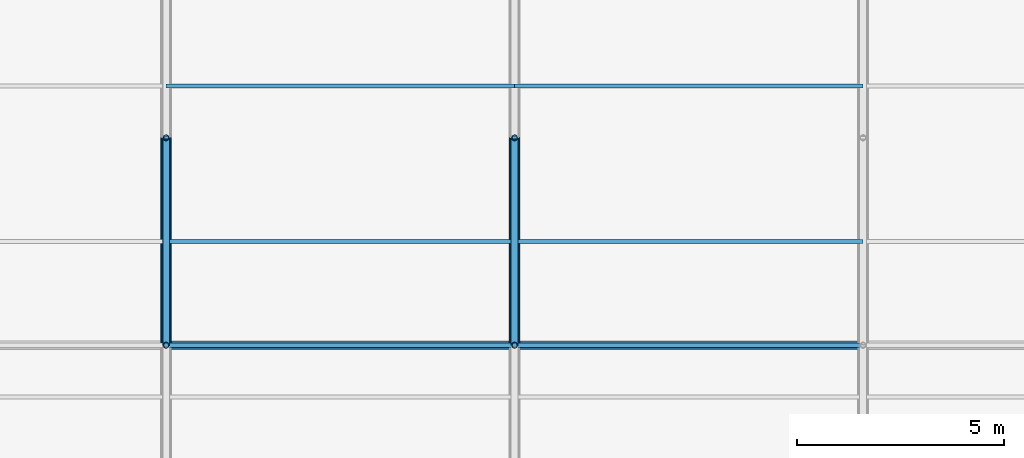
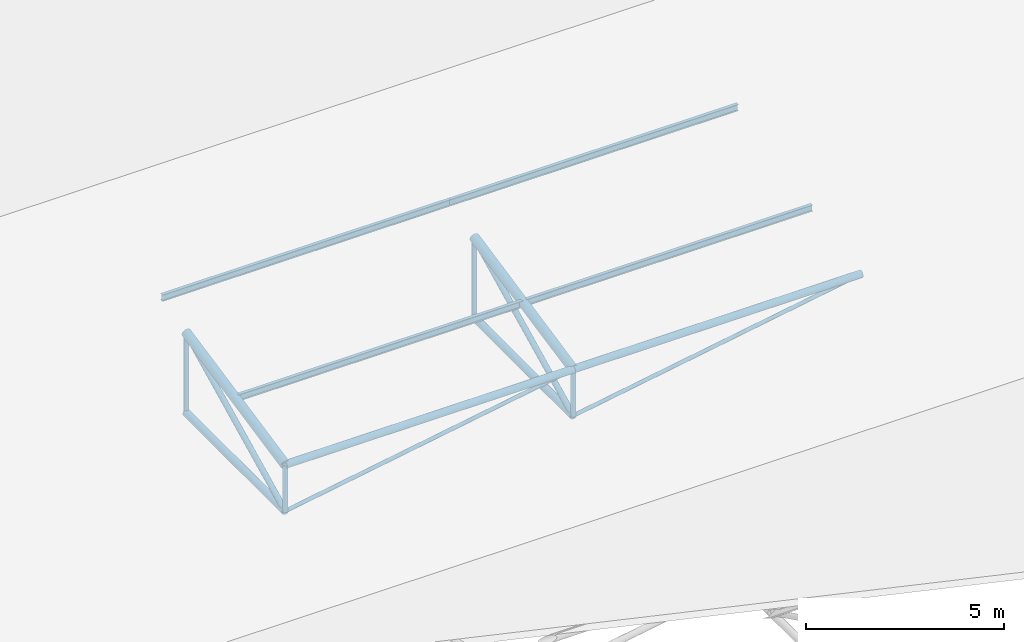
# One storey, part 90 of 194: 14 members, 4 beams.
"""IFC4 building model written with IfcOpenShell, lengths in metres."""

from ifc_helpers import new_model, si_unit, direction, frame, origin, origin_2d, place, context, subcontext, project, spatial, hollow_circle, i_section, extrude, material, material_profile, profile_set, type_object, element, save


model = new_model("IFC4")

# Units and contexts
model_context = context("Model", 3, precision=1e-05, world=origin(), true_north=direction((0.0, 1.0)))
body_context = subcontext(model_context, "Body", "Model", "MODEL_VIEW")
ifc_project = project(units=[si_unit("LENGTHUNIT", "METRE"), si_unit("AREAUNIT", "SQUARE_METRE"), si_unit("VOLUMEUNIT", "CUBIC_METRE"), si_unit("PLANEANGLEUNIT", "RADIAN"), si_unit("MASSUNIT", "GRAM", prefix="KILO")], contexts=[model_context])

# Site, building, storey
site_placement = place(None, origin())
site = spatial("IfcSite", under=ifc_project, at=site_placement, CompositionType="ELEMENT")
building_placement = place(site_placement, origin())
building = spatial("IfcBuilding", under=site, at=building_placement, Name="Kazenagashi Tramway Depot", CompositionType="ELEMENT")
storey_placement = place(building_placement, frame((0.0, 0.0, 23.7)))
storey = spatial("IfcBuildingStorey", under=building, at=storey_placement, Name="ROOF", CompositionType="ELEMENT", Elevation=23.7)

# Beams
ifc_material_1 = material(Name="Steel SN400B", Category="steel")
ifc_material_profile_1 = material_profile(ifc_material_1, i_section(OverallWidth=0.1, OverallDepth=0.2, WebThickness=0.0055, FlangeThickness=0.008, at=origin_2d()), Name="H-200x100x5.5x8")
ifc_profile_set_1 = profile_set([ifc_material_profile_1], Name="Steel SN400B")
beam_type = type_object("IfcBeamType", Name="PR-01", PredefinedType="USERDEFINED", material=ifc_profile_set_1)
for number, where, z_axis, x_axis, name in (
    (1, (128.8, 107.5, -12.13), (1.0, 0.0, 0.0), (0.0, 1.0, 0.0), "Beam PR-01 BM-2154"),
    (2, (137.2, 107.5, -12.13), (1.0, 0.0, 0.0), (0.0, 1.0, 0.0), "Beam PR-01 BM-2155"),
    (3, (128.8, 111.25, -11.305), (1.0, 0.0, 0.0), (0.0, 1.0, 0.0), "Beam PR-01 BM-2172"),
    (4, (137.2, 111.25, -11.305), (1.0, 0.0, 0.0), (0.0, 1.0, 0.0), "Beam PR-01 BM-2173"),
):
    element("IfcBeam", number, at=place(storey_placement, frame(where, z_axis=z_axis, x_axis=x_axis)), inside=storey, type_object=beam_type, Name=name, ObjectType="PURLIN", PredefinedType="USERDEFINED", context=body_context, shape_type="SweptSolid", body=[
        extrude(i_section(OverallWidth=0.1, OverallDepth=0.2, WebThickness=0.0055, FlangeThickness=0.008, at=origin_2d()), origin(), (0.0, 0.0, 1.0), 8.4),
    ])

# Members
ifc_material_2 = material(Name="Steel STK490", Category="steel")
ifc_material_profile_2 = material_profile(ifc_material_2, hollow_circle(Radius=0.1337, WallThickness=0.0093, at=origin_2d()), Name="CHS-267.4x9.3")
ifc_profile_set_2 = profile_set([ifc_material_profile_2], Name="Steel STK490")
member_type_1 = type_object("IfcMemberType", Name="TC-01", PredefinedType="CHORD", material=ifc_profile_set_2)
for number, where, z_axis, x_axis, name in (
    (5, (128.8, 105.0, -12.667), (0.0, 0.979279174591, 0.202514933305), (-1.0, 0.0, 0.0), "Tubular Space Frame TC-01 MEM-0645"),
    (6, (137.2, 105.0, -12.667), (0.0, 0.979279174591, 0.202514933305), (-1.0, 0.0, 0.0), "Tubular Space Frame TC-01 MEM-0706"),
):
    element("IfcMember", number, at=place(storey_placement, frame(where, z_axis=z_axis, x_axis=x_axis)), inside=storey, type_object=member_type_1, Name=name, PredefinedType="CHORD", context=body_context, shape_type="SweptSolid", body=[
        extrude(hollow_circle(Radius=0.1337, WallThickness=0.0093, at=origin_2d()), origin(), (0.0, 0.0, 1.0), 5.105796),
    ])
ifc_material_profile_3 = material_profile(ifc_material_2, hollow_circle(Radius=0.10815, WallThickness=0.0082, at=origin_2d()), Name="CHS-216.3x8.2")
ifc_profile_set_3 = profile_set([ifc_material_profile_3], Name="Steel STK490")
member_type_2 = type_object("IfcMemberType", Name="TC-02", PredefinedType="CHORD", material=ifc_profile_set_3)
member_1_placement = place(storey_placement, frame((128.8, 105.0, -14.1), z_axis=(0.0, 1.0, 0.0), x_axis=(-1.0, 0.0, 0.0)))
element("IfcMember", 7, at=member_1_placement, inside=storey, type_object=member_type_2, Name="Tubular Space Frame TC-02 MEM-0646", PredefinedType="CHORD", context=body_context, shape_type="SweptSolid", body=[
    extrude(hollow_circle(Radius=0.10815, WallThickness=0.0082, at=origin_2d()), origin(), (0.0, 0.0, 1.0), 5.0),
])
member_2_placement = place(storey_placement, frame((128.8, 105.0, -12.667), z_axis=(1.0, 0.0, 0.0), x_axis=(0.0, 1.0, 0.0)))
element("IfcMember", 8, at=member_2_placement, inside=storey, type_object=member_type_2, Name="Tubular Space Frame TC-02 MEM-0666", PredefinedType="CHORD", context=body_context, shape_type="SweptSolid", body=[
    extrude(hollow_circle(Radius=0.10815, WallThickness=0.0082, at=origin_2d()), origin(), (0.0, 0.0, 1.0), 8.4),
])
member_3_placement = place(storey_placement, frame((137.2, 105.0, -14.1), z_axis=(0.0, 1.0, 0.0), x_axis=(-1.0, 0.0, 0.0)))
element("IfcMember", 9, at=member_3_placement, inside=storey, type_object=member_type_2, Name="Tubular Space Frame TC-02 MEM-0707", PredefinedType="CHORD", context=body_context, shape_type="SweptSolid", body=[
    extrude(hollow_circle(Radius=0.10815, WallThickness=0.0082, at=origin_2d()), origin(), (0.0, 0.0, 1.0), 5.0),
])
member_4_placement = place(storey_placement, frame((137.2, 105.0, -12.667), z_axis=(1.0, 0.0, 0.0), x_axis=(0.0, 1.0, 0.0)))
element("IfcMember", 10, at=member_4_placement, inside=storey, type_object=member_type_2, Name="Tubular Space Frame TC-02 MEM-0727", PredefinedType="CHORD", context=body_context, shape_type="SweptSolid", body=[
    extrude(hollow_circle(Radius=0.10815, WallThickness=0.0082, at=origin_2d()), origin(), (0.0, 0.0, 1.0), 8.4),
])
ifc_material_profile_4 = material_profile(ifc_material_2, hollow_circle(Radius=0.0826, WallThickness=0.0071, at=origin_2d()), Name="CHS-165.2x7.1")
ifc_profile_set_4 = profile_set([ifc_material_profile_4], Name="Steel STK490")
member_type_3 = type_object("IfcMemberType", Name="TS-01", PredefinedType="STRUT", material=ifc_profile_set_4)
for number, where, z_axis, x_axis, name in (
    (11, (128.8, 105.0, -14.1), (0.0, 0.896782162482, 0.442472318969), (-1.0, 0.0, 0.0), "Tubular Space Frame TS-01 MEM-0647"),
    (12, (137.2, 105.0, -14.1), (0.0, 0.896782162482, 0.442472318969), (-1.0, 0.0, 0.0), "Tubular Space Frame TS-01 MEM-0708"),
):
    element("IfcMember", number, at=place(storey_placement, frame(where, z_axis=z_axis, x_axis=x_axis)), inside=storey, type_object=member_type_3, Name=name, PredefinedType="STRUT", context=body_context, shape_type="SweptSolid", body=[
        extrude(hollow_circle(Radius=0.0826, WallThickness=0.0071, at=origin_2d()), origin(), (0.0, 0.0, 1.0), 5.57549),
    ])
ifc_material_profile_5 = material_profile(ifc_material_2, hollow_circle(Radius=0.0699, WallThickness=0.0066, at=origin_2d()), Name="CHS-139.8x6.6")
ifc_profile_set_5 = profile_set([ifc_material_profile_5], Name="Steel STK490")
member_type_4 = type_object("IfcMemberType", Name="TS-02", PredefinedType="STRUT", material=ifc_profile_set_5)
member_5_placement = place(storey_placement, frame((128.8, 105.0, -14.1), z_axis=(0.0, 0.0, 1.0), x_axis=(1.0, 0.0, 0.0)))
element("IfcMember", 13, at=member_5_placement, inside=storey, type_object=member_type_4, Name="Tubular Space Frame TS-02 MEM-0660", PredefinedType="STRUT", context=body_context, shape_type="SweptSolid", body=[
    extrude(hollow_circle(Radius=0.0699, WallThickness=0.0066, at=origin_2d()), origin(), (0.0, 0.0, 1.0), 1.433),
])
member_6_placement = place(storey_placement, frame((128.8, 110.0, -14.1), z_axis=(0.0, 0.0, 1.0), x_axis=(1.0, 0.0, 0.0)))
element("IfcMember", 14, at=member_6_placement, inside=storey, type_object=member_type_4, Name="Tubular Space Frame TS-02 MEM-0661", PredefinedType="STRUT", context=body_context, shape_type="SweptSolid", body=[
    extrude(hollow_circle(Radius=0.0699, WallThickness=0.0066, at=origin_2d()), origin(), (0.0, 0.0, 1.0), 2.467),
])
member_7_placement = place(storey_placement, frame((137.2, 105.0, -14.1), z_axis=(0.0, 0.0, 1.0), x_axis=(1.0, 0.0, 0.0)))
element("IfcMember", 15, at=member_7_placement, inside=storey, type_object=member_type_4, Name="Tubular Space Frame TS-02 MEM-0721", PredefinedType="STRUT", context=body_context, shape_type="SweptSolid", body=[
    extrude(hollow_circle(Radius=0.0699, WallThickness=0.0066, at=origin_2d()), origin(), (0.0, 0.0, 1.0), 1.433),
])
member_8_placement = place(storey_placement, frame((137.2, 110.0, -14.1), z_axis=(0.0, 0.0, 1.0), x_axis=(1.0, 0.0, 0.0)))
element("IfcMember", 16, at=member_8_placement, inside=storey, type_object=member_type_4, Name="Tubular Space Frame TS-02 MEM-0722", PredefinedType="STRUT", context=body_context, shape_type="SweptSolid", body=[
    extrude(hollow_circle(Radius=0.0699, WallThickness=0.0066, at=origin_2d()), origin(), (0.0, 0.0, 1.0), 2.467),
])
ifc_material_3 = material(Name="Steel STK400", Category="steel")
ifc_material_profile_6 = material_profile(ifc_material_3, hollow_circle(Radius=0.05715, WallThickness=0.0045, at=origin_2d()), Name="CHS-114.3x4.5")
ifc_profile_set_6 = profile_set([ifc_material_profile_6], Name="Steel STK400")
member_type_5 = type_object("IfcMemberType", Name="TS-03", PredefinedType="STRUT", material=ifc_profile_set_6)
for number, where, z_axis, x_axis, name in (
    (17, (128.8, 105.0, -14.1), (0.985758734117, 0.0, 0.168165745951), (0.0, 1.0, 0.0), "Tubular Space Frame TS-03 MEM-0667"),
    (18, (137.2, 105.0, -14.1), (0.985758734117, 0.0, 0.168165745951), (0.0, 1.0, 0.0), "Tubular Space Frame TS-03 MEM-0728"),
):
    element("IfcMember", number, at=place(storey_placement, frame(where, z_axis=z_axis, x_axis=x_axis)), inside=storey, type_object=member_type_5, Name=name, PredefinedType="STRUT", context=body_context, shape_type="SweptSolid", body=[
        extrude(hollow_circle(Radius=0.05715, WallThickness=0.0045, at=origin_2d()), origin(), (0.0, 0.0, 1.0), 8.521355),
    ])

save(model, "model.ifc")
